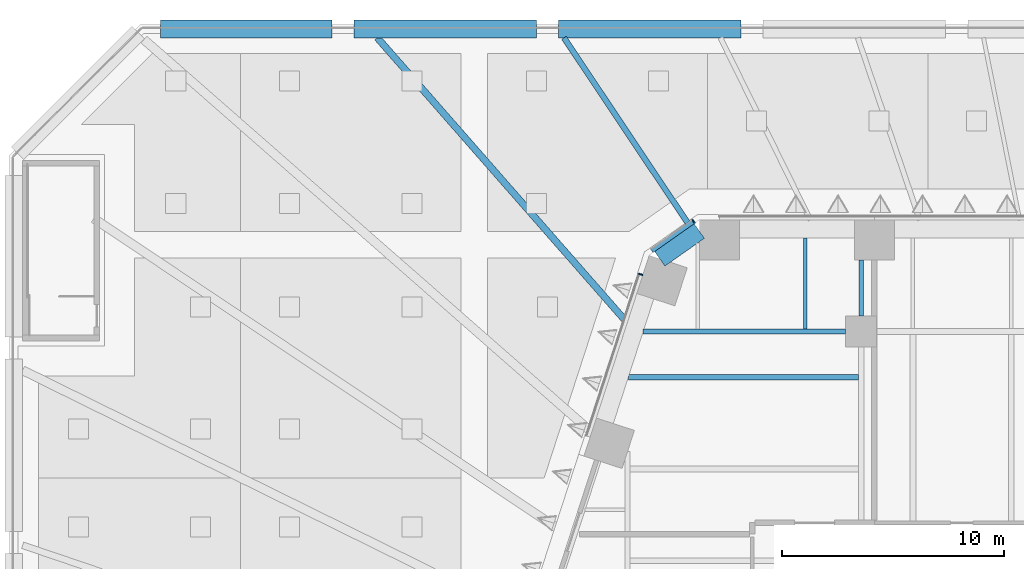
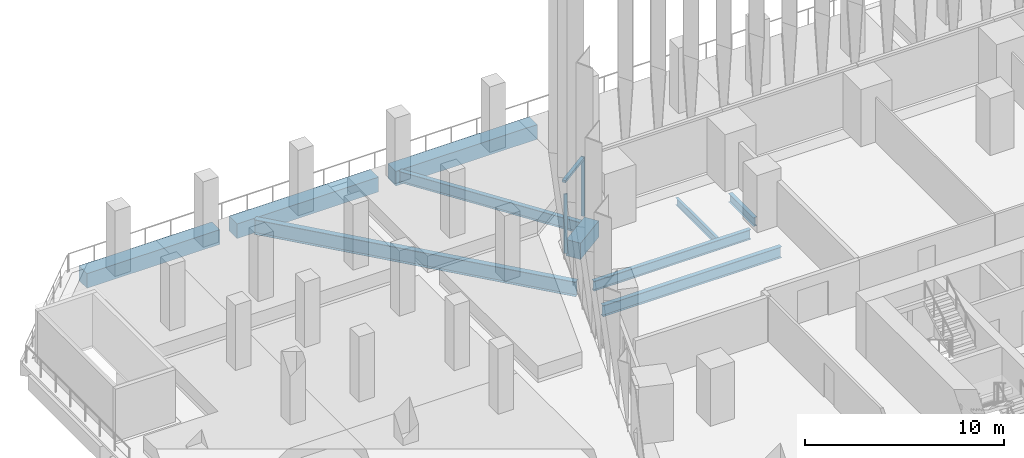
# One storey, part 18 of 51: 10 beams, 3 members, 2 elements without a shape of their own.
"""IFC4 building model written with IfcOpenShell, lengths in metres."""

from ifc_helpers import new_model, si_unit, direction, frame, origin, origin_2d, place, context, subcontext, project, spatial, rectangle, i_section, extrude, material, layer, layer_set, material_profile, profile_set, type_object, element, aggregate, save


model = new_model("IFC4")

# Units and contexts
model_context = context("Model", 3, precision=1e-05, world=origin(), true_north=direction((0.0, 1.0)))
body_context = subcontext(model_context, "Body", "Model", "MODEL_VIEW")
ifc_project = project(units=[si_unit("LENGTHUNIT", "METRE"), si_unit("AREAUNIT", "SQUARE_METRE"), si_unit("VOLUMEUNIT", "CUBIC_METRE"), si_unit("PLANEANGLEUNIT", "RADIAN"), si_unit("MASSUNIT", "GRAM", prefix="KILO")], contexts=[model_context])

# Site, building, storey
site_placement = place(None, origin())
site = spatial("IfcSite", under=ifc_project, at=site_placement, CompositionType="ELEMENT")
building_placement = place(site_placement, origin())
building = spatial("IfcBuilding", under=site, at=building_placement, Name="Isthmus Gate Tower", CompositionType="ELEMENT")
storey_placement = place(building_placement, frame((0.0, 0.0, 36.0)))
storey = spatial("IfcBuildingStorey", under=building, at=storey_placement, Name="L06", CompositionType="ELEMENT", Elevation=36.0)

# Curtain wall, member
ifc_material_1 = material(Name="Aluminium, pale champagne anodised", Category="aluminium")
ifc_layer = layer(ifc_material_1, 0.199951171875)
ifc_layer_set = layer_set([ifc_layer], Name="CW-1 UNITISED CURTAIN WALL 200 DEEP")
curtain_wall_type = type_object("IfcCurtainWallType", Name="CW-1 UNITISED CURTAIN WALL 200 DEEP", PredefinedType="NOTDEFINED", material=ifc_layer_set)
curtain_wall_1_placement = place(storey_placement, origin())
curtain_wall_1 = element("IfcCurtainWall", 1, at=curtain_wall_1_placement, inside=storey, type_object=curtain_wall_type, Name="CW-1 N-NW L06", PredefinedType="NOTDEFINED")
ifc_material_2 = material(Name="Aluminium, pale champagne anodised", Category="aluminium")
ifc_material_profile_1 = material_profile(ifc_material_2, rectangle(XDim=0.06005859375, YDim=0.199951171875, at=origin_2d()), Name="60x200")
ifc_profile_set_1 = profile_set([ifc_material_profile_1], Name="Aluminium, pale champagne anodised")
member_type_1 = type_object("IfcMemberType", Name="CW-1 MULLION 60 X 200", PredefinedType="MULLION", material=ifc_profile_set_1)
member_1_placement = place(storey_placement, frame((-21.031005859375, 31.943115234375, 0.0), z_axis=(0.0, 0.0, 1.0), x_axis=(-0.81785959165, -0.57541783805, 0.0)))
member_1 = element("IfcMember", 2, at=member_1_placement, type_object=member_type_1, Name="CW-1 mullion", PredefinedType="MULLION", context=body_context, shape_type="SweptSolid", body=[
    extrude(rectangle(XDim=0.06005859375, YDim=0.199951171875, at=origin_2d()), origin(), (0.0, 0.0, 1.0), 3.64990234375),
])

curtain_wall_2_placement = place(storey_placement, origin())
curtain_wall_2 = element("IfcCurtainWall", 3, at=curtain_wall_2_placement, inside=storey, type_object=curtain_wall_type, Name="CW-1 NW L06", PredefinedType="NOTDEFINED")
member_2_placement = place(storey_placement, frame((-23.41162109375, 29.561279296875, 0.0), z_axis=(0.0, 0.0, 1.0), x_axis=(-0.309016994375, -0.951056516295, 0.0)))
member_2 = element("IfcMember", 4, at=member_2_placement, type_object=member_type_1, Name="CW-1 mullion", PredefinedType="MULLION", context=body_context, shape_type="SweptSolid", body=[
    extrude(rectangle(XDim=0.06005859375, YDim=0.199951171875, at=origin_2d()), origin(), (0.0, 0.0, 1.0), 3.64990234375),
])
aggregate(curtain_wall_2, [member_2])

# Member
ifc_material_3 = material(Name="Aluminium, pale champagne anodised", Category="aluminium")
ifc_material_profile_2 = material_profile(ifc_material_3, rectangle(XDim=0.199951171875, YDim=0.14990234375, at=origin_2d()), Name="200x150")
ifc_profile_set_2 = profile_set([ifc_material_profile_2], Name="Aluminium, pale champagne anodised")
member_type_2 = type_object("IfcMemberType", Name="CW-1 TRANSOM 200 X 150", PredefinedType="USERDEFINED", material=ifc_profile_set_2)
member_3_placement = place(storey_placement, frame((-21.055419921875, 31.92578125, 3.574951171875), z_axis=(-0.817868595604, -0.575405040233, 0.0), x_axis=(0.575405040233, -0.817868595604, 0.0)))
member_3 = element("IfcMember", 5, at=member_3_placement, type_object=member_type_2, Name="CW-1 transom", ObjectType="TRANSOM", PredefinedType="USERDEFINED", context=body_context, shape_type="SweptSolid", body=[
    extrude(rectangle(XDim=0.199951171875, YDim=0.14990234375, at=origin_2d()), origin(), (0.0, 0.0, 1.0), 2.258544921875),
])

aggregate(curtain_wall_1, [member_1, member_3])

# Beams
ifc_material_4 = material(Name="Concrete f'c 70 MPa", Category="concrete")
ifc_material_profile_3 = material_profile(ifc_material_4, rectangle(XDim=0.800048828125, YDim=0.89990234375, at=origin_2d()), Name="RC 800X900")
ifc_profile_set_3 = profile_set([ifc_material_profile_3], Name="Concrete f'c 70 MPa")
beam_type_1 = type_object("IfcBeamType", Name="RC EDGE BEAM 800 X 900", PredefinedType="BEAM", material=ifc_profile_set_3)
beam_1_placement = place(storey_placement, frame((-45.0, 40.60009765625, -0.60009765625), z_axis=(1.0, 0.0, 0.0), x_axis=(0.0, 1.0, 0.0)))
element("IfcBeam", 6, at=beam_1_placement, inside=storey, type_object=beam_type_1, Name="str-edgebeam-L06-09", PredefinedType="BEAM", context=body_context, shape_type="SweptSolid", body=[
    extrude(rectangle(XDim=0.800048828125, YDim=0.89990234375, at=origin_2d()), origin(), (0.0, 0.0, 1.0), 7.699951171875),
])
beam_2_placement = place(storey_placement, frame((-36.300048828125, 40.60009765625, -0.60009765625), z_axis=(1.0, 0.0, 0.0), x_axis=(0.0, 1.0, 0.0)))
element("IfcBeam", 7, at=beam_2_placement, inside=storey, type_object=beam_type_1, Name="str-edgebeam-L06-10", PredefinedType="BEAM", context=body_context, shape_type="SweptSolid", body=[
    extrude(rectangle(XDim=0.800048828125, YDim=0.89990234375, at=origin_2d()), origin(), (0.0, 0.0, 1.0), 8.199951171875),
])
beam_3_placement = place(storey_placement, frame((-27.10009765625, 40.60009765625, -0.60009765625), z_axis=(1.0, 0.0, 0.0), x_axis=(0.0, 1.0, 0.0)))
element("IfcBeam", 8, at=beam_3_placement, inside=storey, type_object=beam_type_1, Name="str-edgebeam-L06-11", PredefinedType="BEAM", context=body_context, shape_type="SweptSolid", body=[
    extrude(rectangle(XDim=0.800048828125, YDim=0.89990234375, at=origin_2d()), origin(), (0.0, 0.0, 1.0), 8.2001953125),
])
ifc_material_5 = material(Name="Concrete f'c 70 MPa", Category="concrete")
ifc_material_profile_4 = material_profile(ifc_material_5, rectangle(XDim=0.800048828125, YDim=1.0, at=origin_2d()), Name="RC 800X1000")
ifc_profile_set_4 = profile_set([ifc_material_profile_4], Name="Concrete f'c 70 MPa")
beam_type_2 = type_object("IfcBeamType", Name="RC SPANDREL 800 X 1000", PredefinedType="SPANDREL", material=ifc_profile_set_4)
beam_4_placement = place(storey_placement, frame((-22.553466796875, 30.260498046875, -0.5), z_axis=(0.817857331203, 0.575421050882, 0.0), x_axis=(-0.575421050882, 0.817857331203, 0.0)))
element("IfcBeam", 9, at=beam_4_placement, inside=storey, type_object=beam_type_2, Name="str-spandrel-L06-22", PredefinedType="SPANDREL", context=body_context, shape_type="SweptSolid", body=[
    extrude(rectangle(XDim=0.800048828125, YDim=1.0, at=origin_2d()), origin(), (0.0, 0.0, 1.0), 2.173095703125),
])
ifc_material_6 = material(Name="Structural steel ASTM A992 Gr 50", Category="steel")
ifc_material_profile_5 = material_profile(ifc_material_6, i_section(OverallWidth=0.15234375, OverallDepth=0.45068359375, WebThickness=0.0078125, FlangeThickness=0.010986328125, at=origin_2d()), Name="W18X35")
ifc_profile_set_5 = profile_set([ifc_material_profile_5], Name="Structural steel ASTM A992 Gr 50")
beam_type_3 = type_object("IfcBeamType", Name="STEEL FLOOR BEAM W18X35", PredefinedType="JOIST", material=ifc_profile_set_5)
beam_5_placement = place(storey_placement, frame((-16.0185546875, 27.1142578125, -0.37548828125), z_axis=(0.0, 1.0, 0.0), x_axis=(-1.0, 0.0, 0.0)))
element("IfcBeam", 10, at=beam_5_placement, inside=storey, type_object=beam_type_3, Name="str-beam-L06-08-01", PredefinedType="JOIST", context=body_context, shape_type="SweptSolid", body=[
    extrude(i_section(OverallWidth=0.15234375, OverallDepth=0.45068359375, WebThickness=0.0078125, FlangeThickness=0.010986328125, at=origin_2d()), origin(), (0.0, 0.0, 1.0), 4.085693359375),
])
ifc_material_7 = material(Name="Structural steel ASTM A992 Gr 50", Category="steel")
ifc_material_profile_6 = material_profile(ifc_material_7, i_section(OverallWidth=0.25390625, OverallDepth=0.679443359375, WebThickness=0.010986328125, FlangeThickness=0.015869140625, at=origin_2d()), Name="W27X84")
ifc_profile_set_6 = profile_set([ifc_material_profile_6], Name="Structural steel ASTM A992 Gr 50")
beam_type_4 = type_object("IfcBeamType", Name="STEEL FLOOR BEAM W27X84", PredefinedType="JOIST", material=ifc_profile_set_6)
beam_6_placement = place(storey_placement, frame((-23.96826171875, 24.935791015625, -0.48974609375), z_axis=(1.0, 0.0, 0.0), x_axis=(0.0, 1.0, 0.0)))
element("IfcBeam", 11, at=beam_6_placement, inside=storey, type_object=beam_type_4, Name="str-beam-L06-06-02", PredefinedType="JOIST", context=body_context, shape_type="SweptSolid", body=[
    extrude(i_section(OverallWidth=0.25390625, OverallDepth=0.679443359375, WebThickness=0.010986328125, FlangeThickness=0.015869140625, at=origin_2d()), origin(), (0.0, 0.0, 1.0), 10.34130859375),
])
ifc_material_8 = material(Name="Structural steel ASTM A992 Gr 50", Category="steel")
ifc_material_profile_7 = material_profile(ifc_material_8, i_section(OverallWidth=0.20947265625, OverallDepth=0.533447265625, WebThickness=0.009521484375, FlangeThickness=0.015869140625, at=origin_2d()), Name="W21X62")
ifc_profile_set_7 = profile_set([ifc_material_profile_7], Name="Structural steel ASTM A992 Gr 50")
beam_type_5 = type_object("IfcBeamType", Name="STEEL GIRDER W21X62", PredefinedType="BEAM", material=ifc_profile_set_7)
beam_7_placement = place(storey_placement, frame((-13.5, 27.699951171875, -0.416748046875), z_axis=(0.0, 1.0, 0.0), x_axis=(-1.0, 0.0, 0.0)))
element("IfcBeam", 12, at=beam_7_placement, inside=storey, type_object=beam_type_5, Name="str-girder-L06-27", PredefinedType="BEAM", context=body_context, shape_type="SweptSolid", body=[
    extrude(i_section(OverallWidth=0.20947265625, OverallDepth=0.533447265625, WebThickness=0.009521484375, FlangeThickness=0.015869140625, at=origin_2d()), origin(), (0.0, 0.0, 1.0), 2.5),
])
ifc_material_9 = material(Name="Structural steel ASTM A992 Gr 50", Category="steel")
ifc_material_profile_8 = material_profile(ifc_material_9, i_section(OverallWidth=0.228515625, OverallDepth=0.6064453125, WebThickness=0.010986328125, FlangeThickness=0.017578125, at=origin_2d()), Name="W24X76")
ifc_profile_set_8 = profile_set([ifc_material_profile_8], Name="Structural steel ASTM A992 Gr 50")
beam_type_6 = type_object("IfcBeamType", Name="STEEL GIRDER W24X76", PredefinedType="BEAM", material=ifc_profile_set_8)
beam_8_placement = place(storey_placement, frame((-23.297607421875, 27.0, -0.453125), z_axis=(1.0, 0.0, 0.0), x_axis=(0.0, 1.0, 0.0)))
element("IfcBeam", 13, at=beam_8_placement, inside=storey, type_object=beam_type_6, Name="str-girder-L06-16", PredefinedType="BEAM", context=body_context, shape_type="SweptSolid", body=[
    extrude(i_section(OverallWidth=0.228515625, OverallDepth=0.6064453125, WebThickness=0.010986328125, FlangeThickness=0.017578125, at=origin_2d()), origin(), (0.0, 0.0, 1.0), 9.09765625),
])
ifc_material_10 = material(Name="Structural steel ASTM A992 Gr 50", Category="steel")
ifc_material_profile_9 = material_profile(ifc_material_10, i_section(OverallWidth=0.25390625, OverallDepth=0.679443359375, WebThickness=0.010986328125, FlangeThickness=0.015869140625, at=origin_2d()), Name="W27X84")
ifc_profile_set_9 = profile_set([ifc_material_profile_9], Name="Structural steel ASTM A992 Gr 50")
beam_type_7 = type_object("IfcBeamType", Name="STEEL LEDGE BEAM W27X84", PredefinedType="JOIST", material=ifc_profile_set_9)
beam_9_placement = place(storey_placement, frame((-21.18798828125, 31.710205078125, -0.48974609375), z_axis=(-0.55558273059, 0.831461261557, 0.0), x_axis=(-0.831461261557, -0.55558273059, 0.0)))
element("IfcBeam", 14, at=beam_9_placement, inside=storey, type_object=beam_type_7, Name="str-ringbeam-L06-00-16", PredefinedType="JOIST", context=body_context, shape_type="SweptSolid", body=[
    extrude(i_section(OverallWidth=0.25390625, OverallDepth=0.679443359375, WebThickness=0.010986328125, FlangeThickness=0.015869140625, at=origin_2d()), origin(), (0.0, 0.0, 1.0), 10.210693359375),
])
ifc_material_11 = material(Name="Structural steel ASTM A992 Gr 50", Category="steel")
ifc_material_profile_10 = material_profile(ifc_material_11, i_section(OverallWidth=0.3046875, OverallDepth=0.901611328125, WebThickness=0.015869140625, FlangeThickness=0.0205078125, at=origin_2d()), Name="W36X135")
ifc_profile_set_10 = profile_set([ifc_material_profile_10], Name="Structural steel ASTM A992 Gr 50")
beam_type_8 = type_object("IfcBeamType", Name="STEEL LEDGE BEAM W36X135", PredefinedType="JOIST", material=ifc_profile_set_10)
beam_10_placement = place(storey_placement, frame((-24.01416015625, 27.383056640625, -0.600830078125), z_axis=(-0.659349778904, 0.751836331297, 0.0), x_axis=(-0.751836331297, -0.659349778904, 0.0)))
element("IfcBeam", 15, at=beam_10_placement, inside=storey, type_object=beam_type_8, Name="str-ringbeam-L06-00-17", PredefinedType="JOIST", context=body_context, shape_type="SweptSolid", body=[
    extrude(i_section(OverallWidth=0.3046875, OverallDepth=0.901611328125, WebThickness=0.015869140625, FlangeThickness=0.0205078125, at=origin_2d()), origin(), (0.0, 0.0, 1.0), 17.04736328125),
])

save(model, "model.ifc")
